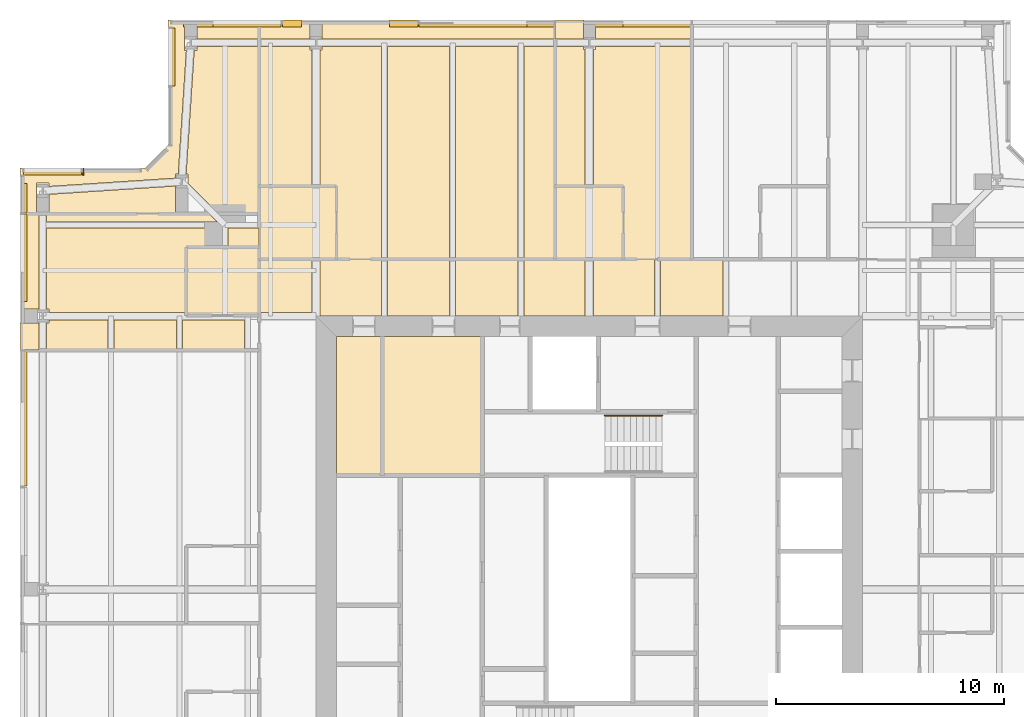
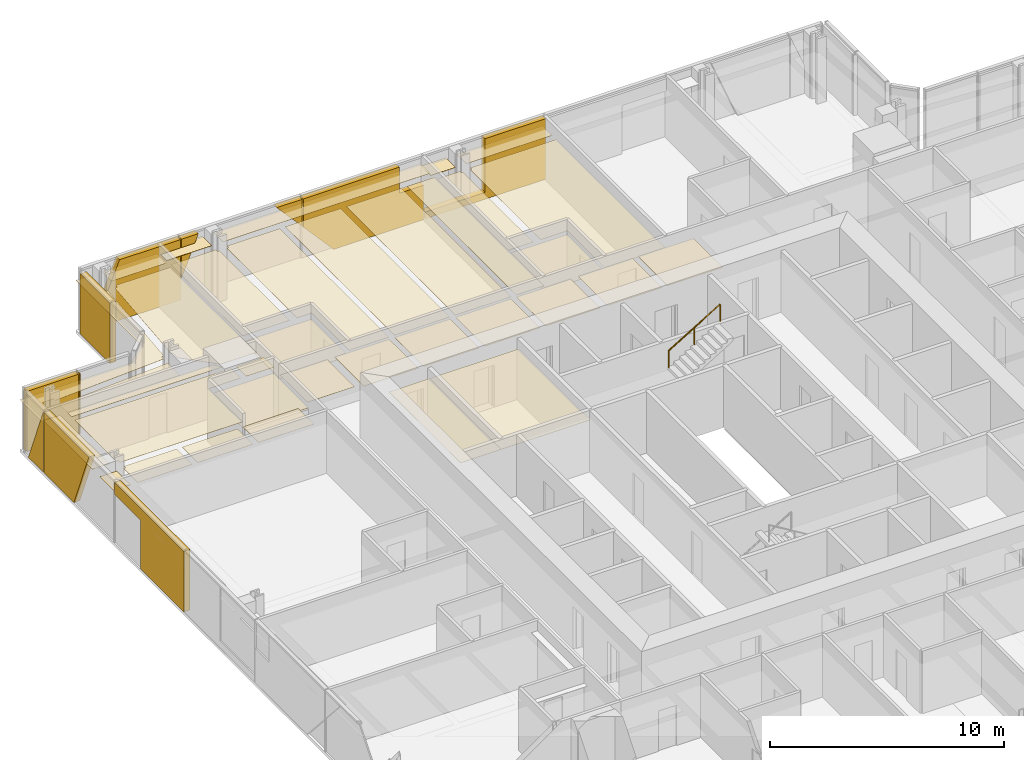
# One storey, part 19 of 20: 46 coverings, 1 railing.
"""IFC4 building model written with IfcOpenShell, lengths in metres."""

from ifc_helpers import new_model, si_unit, direction, frame, origin, origin_2d, place, context, subcontext, project, spatial, polyline, circle, outline, extrude, material, layer, layer_set, type_object, element, save


model = new_model("IFC4")

# Units and contexts
model_context = context("Model", 3, precision=1e-05, world=origin(), true_north=direction((0.0, 1.0)))
body_context = subcontext(model_context, "Body", "Model", "MODEL_VIEW")
ifc_project = project(units=[si_unit("LENGTHUNIT", "METRE"), si_unit("AREAUNIT", "SQUARE_METRE"), si_unit("VOLUMEUNIT", "CUBIC_METRE"), si_unit("PLANEANGLEUNIT", "RADIAN"), si_unit("MASSUNIT", "GRAM", prefix="KILO")], contexts=[model_context])

# Site, building, storey
site_placement = place(None, origin())
site = spatial("IfcSite", under=ifc_project, at=site_placement, CompositionType="ELEMENT")
building_placement = place(site_placement, origin())
building = spatial("IfcBuilding", under=site, at=building_placement, Name="Fenwick Lantern Interchange", CompositionType="ELEMENT")
storey_placement = place(building_placement, frame((0.0, 0.0, 286.60009765625)))
storey = spatial("IfcBuildingStorey", under=building, at=storey_placement, Name="L69", CompositionType="ELEMENT", Elevation=286.60009765625)

# Coverings
ifc_material_1 = material(Name="Granite cladding, warm grey flamed finish, on aluminium carrier frame", Category="masonry")
ifc_layer_1 = layer(ifc_material_1, 0.300048828125)
ifc_layer_set_1 = layer_set([ifc_layer_1], Name="BRACE CASING PANEL 300")
covering_type_1 = type_object("IfcCoveringType", Name="BRACE CASING PANEL 300", PredefinedType="CLADDING", material=ifc_layer_set_1)
covering_1_placement = place(storey_placement, frame((43.39990234375, 49.89990234375, 0.0), z_axis=(0.0, 0.0, 1.0), x_axis=(-1.0, 0.0, 0.0)))
element("IfcCovering", 1, at=covering_1_placement, inside=storey, type_object=covering_type_1, Name="Brace casing 09 bay 03a", PredefinedType="CLADDING", context=body_context, shape_type="SweptSolid", body=[
    extrude(outline(polyline([(13.929931640625, 0.0), (19.8701171875, 0.0), (19.8701171875, 0.357421875), (16.926513671875, 0.357421875), (16.926513671875, 3.14990234375), (13.929931640625, 3.14990234375), (13.929931640625, 0.0)])), frame((0.0, 0.2099609375, 0.0), z_axis=(0.0, -1.0, 0.0), x_axis=(1.0, 0.0, 0.0)), (0.0, 0.0, 1.0), 0.300048828125),
])
covering_2_placement = place(storey_placement, frame((43.39990234375, 49.89990234375, 0.0), z_axis=(0.0, 0.0, 1.0), x_axis=(-1.0, 0.0, 0.0)))
element("IfcCovering", 2, at=covering_2_placement, inside=storey, type_object=covering_type_1, Name="Brace casing 09 bay 04a", PredefinedType="CLADDING", context=body_context, shape_type="SweptSolid", body=[
    extrude(outline(polyline([(19.929931640625, 0.0), (24.374267578125, 0.0), (25.8701171875, 1.6806640625), (25.8701171875, 3.14990234375), (21.14501953125, 3.14990234375), (21.14501953125, 1.786376953125), (19.929931640625, 1.786376953125), (19.929931640625, 0.0)])), frame((0.0, 0.2099609375, 0.0), z_axis=(0.0, -1.0, 0.0), x_axis=(1.0, 0.0, 0.0)), (0.0, 0.0, 1.0), 0.300048828125),
])
covering_3_placement = place(storey_placement, frame((43.39990234375, 49.89990234375, 1.748046875), z_axis=(0.0, 0.0, 1.0), x_axis=(-1.0, 0.0, 0.0)))
element("IfcCovering", 3, at=covering_3_placement, inside=storey, type_object=covering_type_1, Name="Brace casing 09 bay 05a", PredefinedType="CLADDING", context=body_context, shape_type="SweptSolid", body=[
    extrude(outline(polyline([(25.929931640625, 0.0), (27.177490234375, 1.40185546875), (25.929931640625, 1.40185546875), (25.929931640625, 0.0)])), frame((0.0, 0.2099609375, 0.0), z_axis=(0.0, -1.0, 0.0), x_axis=(1.0, 0.0, 0.0)), (0.0, 0.0, 1.0), 0.300048828125),
])
covering_4_placement = place(storey_placement, frame((43.39990234375, 49.89990234375, 1.108642578125), z_axis=(0.0, 0.0, 1.0), x_axis=(-1.0, 0.0, 0.0)))
element("IfcCovering", 4, at=covering_4_placement, inside=storey, type_object=covering_type_1, Name="Brace casing 09 bay 05b", PredefinedType="CLADDING", context=body_context, shape_type="SweptSolid", body=[
    extrude(outline(polyline([(31.8701171875, 0.0), (31.8701171875, 2.041259765625), (31.037353515625, 2.041259765625), (31.8701171875, 0.0)])), frame((0.0, 0.2099609375, 0.0), z_axis=(0.0, -1.0, 0.0), x_axis=(1.0, 0.0, 0.0)), (0.0, 0.0, 1.0), 0.300048828125),
])
covering_5_placement = place(storey_placement, frame((43.39990234375, 49.89990234375, 0.0), z_axis=(0.0, 0.0, 1.0), x_axis=(-1.0, 0.0, 0.0)))
element("IfcCovering", 5, at=covering_5_placement, inside=storey, type_object=covering_type_1, Name="Brace casing 09 bay 06a", PredefinedType="CLADDING", context=body_context, shape_type="SweptSolid", body=[
    extrude(outline(polyline([(31.929931640625, 0.0), (36.2099609375, 0.0), (34.92529296875, 3.14990234375), (31.929931640625, 3.14990234375), (31.929931640625, 0.0)])), frame((0.0, 0.2099609375, 0.0), z_axis=(0.0, -1.0, 0.0), x_axis=(1.0, 0.0, 0.0)), (0.0, 0.0, 1.0), 0.300048828125),
])
covering_6_placement = place(storey_placement, frame((6.60009765625, 49.89990234375, 0.0), z_axis=(0.0, 0.0, 1.0), x_axis=(0.0, -1.0, 0.0)))
element("IfcCovering", 6, at=covering_6_placement, inside=storey, type_object=covering_type_1, Name="Brace casing 10 bay 00a", PredefinedType="CLADDING", context=body_context, shape_type="SweptSolid", body=[
    extrude(outline(polyline([(0.260009765625, 0.0), (2.790771484375, 0.0), (2.790771484375, 3.14990234375), (0.260009765625, 3.14990234375), (0.260009765625, 0.0)])), frame((0.0, 0.2099609375, 0.0), z_axis=(0.0, -1.0, 0.0), x_axis=(1.0, 0.0, 0.0)), (0.0, 0.0, 1.0), 0.300048828125),
])
covering_7_placement = place(storey_placement, frame((5.54150390625, 43.39990234375, 0.0), z_axis=(0.0, 0.0, 1.0), x_axis=(-1.0, 0.0, 0.0)))
element("IfcCovering", 7, at=covering_7_placement, inside=storey, type_object=covering_type_1, Name="Brace casing 12 bay 00a", PredefinedType="CLADDING", context=body_context, shape_type="SweptSolid", body=[
    extrude(outline(polyline([(2.741455078125, 0.0), (2.790771484375, 0.0), (2.790771484375, 3.14990234375), (2.741455078125, 3.14990234375), (2.741455078125, 0.0)])), frame((0.0, 0.2099609375, 0.0), z_axis=(0.0, -1.0, 0.0), x_axis=(1.0, 0.0, 0.0)), (0.0, 0.0, 1.0), 0.300048828125),
])
covering_8_placement = place(storey_placement, frame((5.54150390625, 43.39990234375, 0.0), z_axis=(0.0, 0.0, 1.0), x_axis=(-1.0, 0.0, 0.0)))
element("IfcCovering", 8, at=covering_8_placement, inside=storey, type_object=covering_type_1, Name="Brace casing 12 bay 01a", PredefinedType="CLADDING", context=body_context, shape_type="SweptSolid", body=[
    extrude(outline(polyline([(2.850830078125, 0.0), (5.38134765625, 0.0), (5.38134765625, 3.14990234375), (2.850830078125, 3.14990234375), (2.850830078125, 0.0)])), frame((0.0, 0.2099609375, 0.0), z_axis=(0.0, -1.0, 0.0), x_axis=(1.0, 0.0, 0.0)), (0.0, 0.0, 1.0), 0.300048828125),
])
covering_9_placement = place(storey_placement, frame((0.10009765625, 43.39990234375, 0.0), z_axis=(0.0, 0.0, 1.0), x_axis=(0.0, -1.0, 0.0)))
element("IfcCovering", 9, at=covering_9_placement, inside=storey, type_object=covering_type_1, Name="Brace casing 13 bay 00a", PredefinedType="CLADDING", context=body_context, shape_type="SweptSolid", body=[
    extrude(outline(polyline([(0.58984375, 0.0), (1.8701171875, 0.0), (1.8701171875, 3.138427734375), (0.58984375, 0.0)])), frame((0.0, 0.2099609375, 0.0), z_axis=(0.0, -1.0, 0.0), x_axis=(1.0, 0.0, 0.0)), (0.0, 0.0, 1.0), 0.300048828125),
])
covering_10_placement = place(storey_placement, frame((0.10009765625, 43.39990234375, 0.0), z_axis=(0.0, 0.0, 1.0), x_axis=(0.0, -1.0, 0.0)))
element("IfcCovering", 10, at=covering_10_placement, inside=storey, type_object=covering_type_1, Name="Brace casing 13 bay 01a", PredefinedType="CLADDING", context=body_context, shape_type="SweptSolid", body=[
    extrude(outline(polyline([(1.929931640625, 0.0), (4.477783203125, 0.0), (5.7626953125, 3.14990234375), (1.929931640625, 3.14990234375), (1.929931640625, 0.0)])), frame((0.0, 0.2099609375, 0.0), z_axis=(0.0, -1.0, 0.0), x_axis=(1.0, 0.0, 0.0)), (0.0, 0.0, 1.0), 0.300048828125),
])
covering_11_placement = place(storey_placement, frame((0.10009765625, 43.39990234375, 0.0), z_axis=(0.0, 0.0, 1.0), x_axis=(0.0, -1.0, 0.0)))
element("IfcCovering", 11, at=covering_11_placement, inside=storey, type_object=covering_type_1, Name="Brace casing 13 bay 02a", PredefinedType="CLADDING", context=body_context, shape_type="SweptSolid", body=[
    extrude(outline(polyline([(10.179931640625, 0.0), (13.8701171875, 0.0), (13.8701171875, 3.14990234375), (7.929931640625, 3.14990234375), (7.929931640625, 2.5234375), (10.179931640625, 2.5234375), (10.179931640625, 0.0)])), frame((0.0, 0.2099609375, 0.0), z_axis=(0.0, -1.0, 0.0), x_axis=(1.0, 0.0, 0.0)), (0.0, 0.0, 1.0), 0.300048828125),
])

# Railing
ifc_material_2 = material(Name="Stainless steel handrail", Category="steel")
railing_type = type_object("IfcRailingType", Name="HANDRAIL 900", PredefinedType="HANDRAIL", material=ifc_material_2)
railing_placement = place(storey_placement, frame((25.679931640625, 32.6259765625, 1.869873046875)))
element("IfcRailing", 12, at=railing_placement, inside=storey, type_object=railing_type, Name="L69/STAIR/ST2/HR2", PredefinedType="HANDRAIL", context=body_context, shape_type="SweptSolid", body=[
    extrude(circle(Radius=0.02392578125, at=origin_2d()), frame((0.0, 0.0, 0.8759765625), z_axis=(0.85478489116, 0.0, 0.518982456201), x_axis=(0.0, 1.0, 0.0)), (0.0, 0.0, 1.0), 2.9482421875),
    extrude(circle(Radius=0.02099609375, at=origin_2d()), origin(), (0.0, 0.0, 1.0), 0.851806640625),
    extrude(circle(Radius=0.02099609375, at=origin_2d()), frame((1.260009765625, 0.0, 0.76513671875)), (0.0, 0.0, 1.0), 0.851806640625),
    extrude(circle(Radius=0.02099609375, at=origin_2d()), frame((2.52001953125, 0.0, 1.530029296875)), (0.0, 0.0, 1.0), 0.851806640625),
])

# Coverings
ifc_material_3 = material(Name="Moisture resistant gypsum board on suspended frame, painted")
ifc_layer_2 = layer(ifc_material_3, 0.014892578125)
ifc_layer_set_2 = layer_set([ifc_layer_2], Name="MOISTURE RESISTANT CEILING 15")
covering_type_2 = type_object("IfcCoveringType", Name="MOISTURE RESISTANT CEILING 15", PredefinedType="CEILING", material=ifc_layer_set_2)
covering_12_placement = place(storey_placement, frame((0.0, 0.0, 2.599853515625)))
element("IfcCovering", 13, at=covering_12_placement, inside=storey, type_object=covering_type_2, Name="Women's WC ceiling", PredefinedType="CEILING", context=body_context, shape_type="SweptSolid", body=[
    extrude(outline(polyline([(20.300048828125, 36.10009765625), (15.89990234375, 36.10009765625), (15.89990234375, 30.0), (20.300048828125, 30.0), (20.300048828125, 36.10009765625)])), origin(), (0.0, 0.0, 1.0), 0.01513671875),
])
covering_13_placement = place(storey_placement, frame((0.0, 0.0, 2.599853515625)))
element("IfcCovering", 14, at=covering_13_placement, inside=storey, type_object=covering_type_2, Name="Men's WC ceiling", PredefinedType="CEILING", context=body_context, shape_type="SweptSolid", body=[
    extrude(outline(polyline([(15.89990234375, 36.10009765625), (13.89990234375, 36.10009765625), (13.89990234375, 30.0), (15.89990234375, 30.0), (15.89990234375, 36.10009765625)])), origin(), (0.0, 0.0, 1.0), 0.01513671875),
])
covering_14_placement = place(storey_placement, frame((0.0, 0.0, 2.39990234375)))
element("IfcCovering", 15, at=covering_14_placement, inside=storey, type_object=covering_type_2, Name="En-suite 6909 ceiling", PredefinedType="CEILING", context=body_context, shape_type="SweptSolid", body=[
    extrude(outline(polyline([(26.5, 42.699951171875), (23.5, 42.699951171875), (23.5, 39.5), (26.5, 39.5), (26.5, 42.699951171875)])), origin(), (0.0, 0.0, 1.0), 0.014892578125),
])
covering_15_placement = place(storey_placement, frame((0.0, 0.0, 2.39990234375)))
element("IfcCovering", 16, at=covering_15_placement, inside=storey, type_object=covering_type_2, Name="En-suite 6910 ceiling", PredefinedType="CEILING", context=body_context, shape_type="SweptSolid", body=[
    extrude(outline(polyline([(13.89990234375, 42.699951171875), (10.5, 42.699951171875), (10.5, 39.5), (13.89990234375, 39.5), (13.89990234375, 42.699951171875)])), origin(), (0.0, 0.0, 1.0), 0.014892578125),
])
covering_16_placement = place(storey_placement, frame((0.0, 0.0, 2.39990234375)))
element("IfcCovering", 17, at=covering_16_placement, inside=storey, type_object=covering_type_2, Name="En-suite 6911 ceiling", PredefinedType="CEILING", context=body_context, shape_type="SweptSolid", body=[
    extrude(outline(polyline([(7.300048828125, 40.02490234375), (7.300048828125, 37.02490234375), (10.5, 37.02490234375), (10.5, 40.02490234375), (7.300048828125, 40.02490234375)])), origin(), (0.0, 0.0, 1.0), 0.014892578125),
])
ifc_material_4 = material(Name="Gypsum plasterboard on suspended frame, painted")
ifc_layer_3 = layer(ifc_material_4, 0.014892578125)
ifc_layer_set_3 = layer_set([ifc_layer_3], Name="PLASTERBOARD CEILING 15")
covering_type_3 = type_object("IfcCoveringType", Name="PLASTERBOARD CEILING 15", PredefinedType="CEILING", material=ifc_layer_set_3)
covering_17_placement = place(storey_placement, frame((0.0, 0.0, 2.599853515625)))
element("IfcCovering", 18, at=covering_17_placement, inside=storey, type_object=covering_type_3, Name="Corridor ceiling", PredefinedType="CEILING", context=body_context, shape_type="SweptSolid", body=[
    extrude(outline(polyline([(18.865478515625, 39.5), (16.134521484375, 39.5), (16.134521484375, 37.0), (18.865478515625, 37.0), (18.865478515625, 39.5)])), origin(), (0.0, 0.0, 1.0), 0.01513671875),
])
covering_18_placement = place(storey_placement, frame((0.0, 0.0, 2.599853515625)))
element("IfcCovering", 19, at=covering_18_placement, inside=storey, type_object=covering_type_3, Name="Corridor ceiling", PredefinedType="CEILING", context=body_context, shape_type="SweptSolid", body=[
    extrude(outline(polyline([(21.865478515625, 39.5), (19.134521484375, 39.5), (19.134521484375, 37.0), (21.865478515625, 37.0), (21.865478515625, 39.5)])), origin(), (0.0, 0.0, 1.0), 0.01513671875),
])
covering_19_placement = place(storey_placement, frame((0.0, 0.0, 2.599853515625)))
element("IfcCovering", 20, at=covering_19_placement, inside=storey, type_object=covering_type_3, Name="Corridor ceiling", PredefinedType="CEILING", context=body_context, shape_type="SweptSolid", body=[
    extrude(outline(polyline([(30.865478515625, 39.5), (28.134521484375, 39.5), (28.134521484375, 37.0), (30.865478515625, 37.0), (30.865478515625, 39.5)])), origin(), (0.0, 0.0, 1.0), 0.01513671875),
])
covering_20_placement = place(storey_placement, frame((0.0, 0.0, 2.599853515625)))
element("IfcCovering", 21, at=covering_20_placement, inside=storey, type_object=covering_type_3, Name="Corridor ceiling", PredefinedType="CEILING", context=body_context, shape_type="SweptSolid", body=[
    extrude(outline(polyline([(15.865478515625, 39.5), (13.183837890625, 39.5), (13.183837890625, 37.0), (15.865478515625, 37.0), (15.865478515625, 39.5)])), origin(), (0.0, 0.0, 1.0), 0.01513671875),
])
covering_21_placement = place(storey_placement, frame((0.0, 0.0, 2.599853515625)))
element("IfcCovering", 22, at=covering_21_placement, inside=storey, type_object=covering_type_3, Name="Corridor ceiling", PredefinedType="CEILING", context=body_context, shape_type="SweptSolid", body=[
    extrude(outline(polyline([(24.816162109375, 39.5), (22.134521484375, 39.5), (22.134521484375, 37.0), (24.816162109375, 37.0), (24.816162109375, 39.5)])), origin(), (0.0, 0.0, 1.0), 0.01513671875),
])
covering_22_placement = place(storey_placement, frame((0.0, 0.0, 2.599853515625)))
element("IfcCovering", 23, at=covering_22_placement, inside=storey, type_object=covering_type_3, Name="Corridor ceiling", PredefinedType="CEILING", context=body_context, shape_type="SweptSolid", body=[
    extrude(outline(polyline([(27.865478515625, 39.5), (25.183837890625, 39.5), (25.183837890625, 37.0), (27.865478515625, 37.0), (27.865478515625, 39.5)])), origin(), (0.0, 0.0, 1.0), 0.01513671875),
])
covering_23_placement = place(storey_placement, frame((0.0, 0.0, 2.599853515625)))
element("IfcCovering", 24, at=covering_23_placement, inside=storey, type_object=covering_type_3, Name="Corridor ceiling", PredefinedType="CEILING", context=body_context, shape_type="SweptSolid", body=[
    extrude(outline(polyline([(12.816162109375, 39.5), (10.5, 39.5), (10.5, 37.166015625), (12.816162109375, 37.166015625), (12.816162109375, 39.5)])), origin(), (0.0, 0.0, 1.0), 0.01513671875),
])
covering_24_placement = place(storey_placement, frame((0.0, 0.0, 2.57275390625)))
element("IfcCovering", 25, at=covering_24_placement, inside=storey, type_object=covering_type_3, Name="Guest room 6909 ceiling", PredefinedType="CEILING", context=body_context, shape_type="SweptSolid", body=[
    extrude(outline(polyline([(25.26220703125, 48.71240234375), (25.183837890625, 48.71240234375), (25.183837890625, 42.699951171875), (26.5, 42.699951171875), (26.5, 39.5), (29.5, 39.5), (29.5, 48.82763671875), (25.26220703125, 48.82763671875), (25.26220703125, 48.71240234375)])), origin(), (0.0, 0.0, 1.0), 0.014892578125),
])
covering_25_placement = place(storey_placement, frame((0.0, 0.0, 2.57275390625)))
element("IfcCovering", 26, at=covering_25_placement, inside=storey, type_object=covering_type_3, Name="Guest room 6909 ceiling", PredefinedType="CEILING", context=body_context, shape_type="SweptSolid", body=[
    extrude(outline(polyline([(24.73779296875, 48.71240234375), (24.73779296875, 48.82763671875), (23.5, 48.82763671875), (23.5, 42.699951171875), (24.816162109375, 42.699951171875), (24.816162109375, 48.71240234375), (24.73779296875, 48.71240234375)])), origin(), (0.0, 0.0, 1.0), 0.014892578125),
])
covering_26_placement = place(storey_placement, frame((0.0, 0.0, 2.57275390625)))
element("IfcCovering", 27, at=covering_26_placement, inside=storey, type_object=covering_type_3, Name="Guest room 6909 ceiling", PredefinedType="CEILING", context=body_context, shape_type="SweptSolid", body=[
    extrude(outline(polyline([(25.26220703125, 50.0), (25.26220703125, 49.17236328125), (29.5, 49.17236328125), (29.5, 50.0), (25.26220703125, 50.0)])), origin(), (0.0, 0.0, 1.0), 0.014892578125),
])
covering_27_placement = place(storey_placement, frame((0.0, 0.0, 2.57275390625)))
element("IfcCovering", 28, at=covering_27_placement, inside=storey, type_object=covering_type_3, Name="Guest room 6909 ceiling", PredefinedType="CEILING", context=body_context, shape_type="SweptSolid", body=[
    extrude(outline(polyline([(24.73779296875, 49.17236328125), (24.73779296875, 50.0), (23.5, 50.0), (23.5, 49.17236328125), (24.73779296875, 49.17236328125)])), origin(), (0.0, 0.0, 1.0), 0.014892578125),
])
covering_28_placement = place(storey_placement, frame((0.0, 0.0, 2.699951171875)))
element("IfcCovering", 29, at=covering_28_placement, inside=storey, type_object=covering_type_3, Name="Guest suite 6910 ceiling", PredefinedType="CEILING", context=body_context, shape_type="SweptSolid", body=[
    extrude(outline(polyline([(16.134521484375, 39.5), (18.865478515625, 39.5), (18.865478515625, 48.82763671875), (16.134521484375, 48.82763671875), (16.134521484375, 39.5)])), origin(), (0.0, 0.0, 1.0), 0.014892578125),
])
covering_29_placement = place(storey_placement, frame((0.0, 0.0, 2.699951171875)))
element("IfcCovering", 30, at=covering_29_placement, inside=storey, type_object=covering_type_3, Name="Guest suite 6910 ceiling", PredefinedType="CEILING", context=body_context, shape_type="SweptSolid", body=[
    extrude(outline(polyline([(19.134521484375, 39.5), (21.865478515625, 39.5), (21.865478515625, 48.82763671875), (19.134521484375, 48.82763671875), (19.134521484375, 39.5)])), origin(), (0.0, 0.0, 1.0), 0.014892578125),
])
covering_30_placement = place(storey_placement, frame((0.0, 0.0, 2.699951171875)))
element("IfcCovering", 31, at=covering_30_placement, inside=storey, type_object=covering_type_3, Name="Guest suite 6910 ceiling", PredefinedType="CEILING", context=body_context, shape_type="SweptSolid", body=[
    extrude(outline(polyline([(13.27099609375, 48.6845703125), (13.183837890625, 48.6845703125), (13.183837890625, 42.699951171875), (13.89990234375, 42.699951171875), (13.89990234375, 39.5), (15.865478515625, 39.5), (15.865478515625, 48.82763671875), (13.27099609375, 48.82763671875), (13.27099609375, 48.6845703125)])), origin(), (0.0, 0.0, 1.0), 0.014892578125),
])
covering_31_placement = place(storey_placement, frame((0.0, 0.0, 2.699951171875)))
element("IfcCovering", 32, at=covering_31_placement, inside=storey, type_object=covering_type_3, Name="Guest suite 6910 ceiling", PredefinedType="CEILING", context=body_context, shape_type="SweptSolid", body=[
    extrude(outline(polyline([(12.72900390625, 48.6845703125), (12.72900390625, 48.82763671875), (10.5, 48.82763671875), (10.5, 42.699951171875), (12.816162109375, 42.699951171875), (12.816162109375, 48.6845703125), (12.72900390625, 48.6845703125)])), origin(), (0.0, 0.0, 1.0), 0.014892578125),
])
covering_32_placement = place(storey_placement, frame((0.0, 0.0, 2.699951171875)))
element("IfcCovering", 33, at=covering_32_placement, inside=storey, type_object=covering_type_3, Name="Guest suite 6910 ceiling", PredefinedType="CEILING", context=body_context, shape_type="SweptSolid", body=[
    extrude(outline(polyline([(23.5, 39.5), (23.5, 48.82763671875), (22.134521484375, 48.82763671875), (22.134521484375, 39.5), (23.5, 39.5)])), origin(), (0.0, 0.0, 1.0), 0.014892578125),
])
covering_33_placement = place(storey_placement, frame((0.0, 0.0, 2.699951171875)))
element("IfcCovering", 34, at=covering_33_placement, inside=storey, type_object=covering_type_3, Name="Guest suite 6910 ceiling", PredefinedType="CEILING", context=body_context, shape_type="SweptSolid", body=[
    extrude(outline(polyline([(13.27099609375, 50.0), (13.27099609375, 49.17236328125), (23.5, 49.17236328125), (23.5, 50.0), (13.27099609375, 50.0)])), origin(), (0.0, 0.0, 1.0), 0.014892578125),
])
covering_34_placement = place(storey_placement, frame((0.0, 0.0, 2.699951171875)))
element("IfcCovering", 35, at=covering_34_placement, inside=storey, type_object=covering_type_3, Name="Guest suite 6910 ceiling", PredefinedType="CEILING", context=body_context, shape_type="SweptSolid", body=[
    extrude(outline(polyline([(12.72900390625, 49.17236328125), (12.72900390625, 50.0), (10.5, 50.0), (10.5, 49.17236328125), (12.72900390625, 49.17236328125)])), origin(), (0.0, 0.0, 1.0), 0.014892578125),
])
covering_35_placement = place(storey_placement, frame((0.0, 0.0, 2.57275390625)))
element("IfcCovering", 36, at=covering_35_placement, inside=storey, type_object=covering_type_3, Name="Guest suite 6911 sitting room ceiling", PredefinedType="CEILING", context=body_context, shape_type="SweptSolid", body=[
    extrude(outline(polyline([(7.77734375, 48.66552734375), (7.65087890625, 48.66552734375), (7.294677734375, 43.234375), (7.37744140625, 43.234375), (7.37744140625, 42.839599609375), (8.716796875, 41.5), (10.5, 41.5), (10.5, 48.82763671875), (7.77734375, 48.82763671875), (7.77734375, 48.66552734375)])), origin(), (0.0, 0.0, 1.0), 0.014892578125),
])
covering_36_placement = place(storey_placement, frame((0.0, 0.0, 2.57275390625)))
element("IfcCovering", 37, at=covering_36_placement, inside=storey, type_object=covering_type_3, Name="Guest suite 6911 sitting room ceiling", PredefinedType="CEILING", context=body_context, shape_type="SweptSolid", body=[
    extrude(outline(polyline([(7.22265625, 48.66552734375), (7.22265625, 50.0), (6.5, 50.0), (6.5, 44.5), (5.5, 43.5), (0.0, 43.5), (0.0, 41.5), (0.72265625, 41.5), (0.72265625, 42.83447265625), (1.27734375, 42.83447265625), (1.27734375, 42.69091796875), (6.82275390625, 43.0546875), (6.82275390625, 43.234375), (6.94921875, 43.234375), (7.30517578125, 48.66552734375), (7.22265625, 48.66552734375)])), origin(), (0.0, 0.0, 1.0), 0.014892578125),
])
covering_37_placement = place(storey_placement, frame((0.0, 0.0, 2.57275390625)))
element("IfcCovering", 38, at=covering_37_placement, inside=storey, type_object=covering_type_3, Name="Guest suite 6911 sitting room ceiling", PredefinedType="CEILING", context=body_context, shape_type="SweptSolid", body=[
    extrude(outline(polyline([(6.82275390625, 41.5), (6.82275390625, 42.708984375), (1.27734375, 42.345458984375), (1.27734375, 41.5), (6.82275390625, 41.5)])), origin(), (0.0, 0.0, 1.0), 0.014892578125),
])
covering_38_placement = place(storey_placement, frame((0.0, 0.0, 2.57275390625)))
element("IfcCovering", 39, at=covering_38_placement, inside=storey, type_object=covering_type_3, Name="Guest suite 6911 sitting room ceiling", PredefinedType="CEILING", context=body_context, shape_type="SweptSolid", body=[
    extrude(outline(polyline([(7.77734375, 50.0), (7.77734375, 49.17236328125), (10.5, 49.17236328125), (10.5, 50.0), (7.77734375, 50.0)])), origin(), (0.0, 0.0, 1.0), 0.014892578125),
])
covering_39_placement = place(storey_placement, frame((0.0, 0.0, 2.699951171875)))
element("IfcCovering", 40, at=covering_39_placement, inside=storey, type_object=covering_type_3, Name="Guest suite 6911 bedroom ceiling", PredefinedType="CEILING", context=body_context, shape_type="SweptSolid", body=[
    extrude(outline(polyline([(1.27099609375, 37.3154296875), (1.27099609375, 37.166015625), (7.300048828125, 37.166015625), (7.300048828125, 40.02490234375), (8.865478515625, 40.02490234375), (8.865478515625, 40.865478515625), (1.17236328125, 40.865478515625), (1.17236328125, 37.3154296875), (1.27099609375, 37.3154296875)])), origin(), (0.0, 0.0, 1.0), 0.014892578125),
])
covering_40_placement = place(storey_placement, frame((0.0, 0.0, 2.699951171875)))
element("IfcCovering", 41, at=covering_40_placement, inside=storey, type_object=covering_type_3, Name="Guest suite 6911 bedroom ceiling", PredefinedType="CEILING", context=body_context, shape_type="SweptSolid", body=[
    extrude(outline(polyline([(4.134521484375, 35.5), (6.865478515625, 35.5), (6.865478515625, 36.833984375), (4.134521484375, 36.833984375), (4.134521484375, 35.5)])), origin(), (0.0, 0.0, 1.0), 0.014892578125),
])
covering_41_placement = place(storey_placement, frame((0.0, 0.0, 2.699951171875)))
element("IfcCovering", 42, at=covering_41_placement, inside=storey, type_object=covering_type_3, Name="Guest suite 6911 bedroom ceiling", PredefinedType="CEILING", context=body_context, shape_type="SweptSolid", body=[
    extrude(outline(polyline([(7.134521484375, 35.5), (9.865478515625, 35.5), (9.865478515625, 36.833984375), (7.134521484375, 36.833984375), (7.134521484375, 35.5)])), origin(), (0.0, 0.0, 1.0), 0.014892578125),
])
covering_42_placement = place(storey_placement, frame((0.0, 0.0, 2.699951171875)))
element("IfcCovering", 43, at=covering_42_placement, inside=storey, type_object=covering_type_3, Name="Guest suite 6911 bedroom ceiling", PredefinedType="CEILING", context=body_context, shape_type="SweptSolid", body=[
    extrude(outline(polyline([(1.27099609375, 36.6845703125), (1.17236328125, 36.6845703125), (1.17236328125, 35.5), (3.865478515625, 35.5), (3.865478515625, 36.833984375), (1.27099609375, 36.833984375), (1.27099609375, 36.6845703125)])), origin(), (0.0, 0.0, 1.0), 0.014892578125),
])
covering_43_placement = place(storey_placement, frame((0.0, 0.0, 2.699951171875)))
element("IfcCovering", 44, at=covering_43_placement, inside=storey, type_object=covering_type_3, Name="Guest suite 6911 bedroom ceiling", PredefinedType="CEILING", context=body_context, shape_type="SweptSolid", body=[
    extrude(outline(polyline([(0.0, 37.3154296875), (0.82763671875, 37.3154296875), (0.82763671875, 41.5), (0.0, 41.5), (0.0, 37.3154296875)])), origin(), (0.0, 0.0, 1.0), 0.014892578125),
])
covering_44_placement = place(storey_placement, frame((0.0, 0.0, 2.699951171875)))
element("IfcCovering", 45, at=covering_44_placement, inside=storey, type_object=covering_type_3, Name="Guest suite 6911 bedroom ceiling", PredefinedType="CEILING", context=body_context, shape_type="SweptSolid", body=[
    extrude(outline(polyline([(8.283203125, 41.5), (1.17236328125, 41.5), (1.17236328125, 41.134521484375), (8.648681640625, 41.134521484375), (8.283203125, 41.5)])), origin(), (0.0, 0.0, 1.0), 0.014892578125),
])
covering_45_placement = place(storey_placement, frame((0.0, 0.0, 2.699951171875)))
element("IfcCovering", 46, at=covering_45_placement, inside=storey, type_object=covering_type_3, Name="Guest suite 6911 bedroom ceiling", PredefinedType="CEILING", context=body_context, shape_type="SweptSolid", body=[
    extrude(outline(polyline([(10.5, 40.02490234375), (10.5, 40.865478515625), (9.134521484375, 40.865478515625), (9.134521484375, 40.02490234375), (10.5, 40.02490234375)])), origin(), (0.0, 0.0, 1.0), 0.014892578125),
])
covering_46_placement = place(storey_placement, frame((0.0, 0.0, 2.699951171875)))
element("IfcCovering", 47, at=covering_46_placement, inside=storey, type_object=covering_type_3, Name="Guest suite 6911 bedroom ceiling", PredefinedType="CEILING", context=body_context, shape_type="SweptSolid", body=[
    extrude(outline(polyline([(0.0, 36.6845703125), (0.0, 35.5), (0.82763671875, 35.5), (0.82763671875, 36.6845703125), (0.0, 36.6845703125)])), origin(), (0.0, 0.0, 1.0), 0.014892578125),
])

save(model, "model.ifc")
